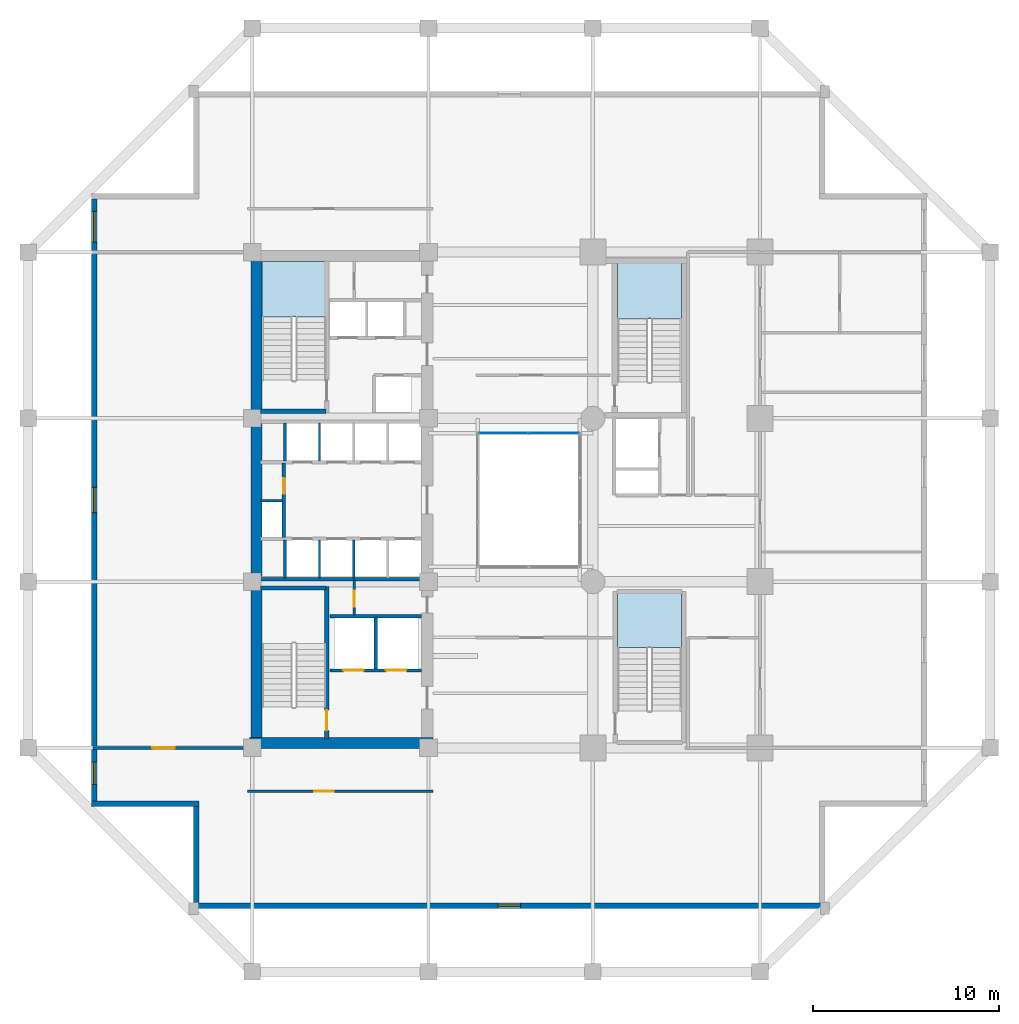
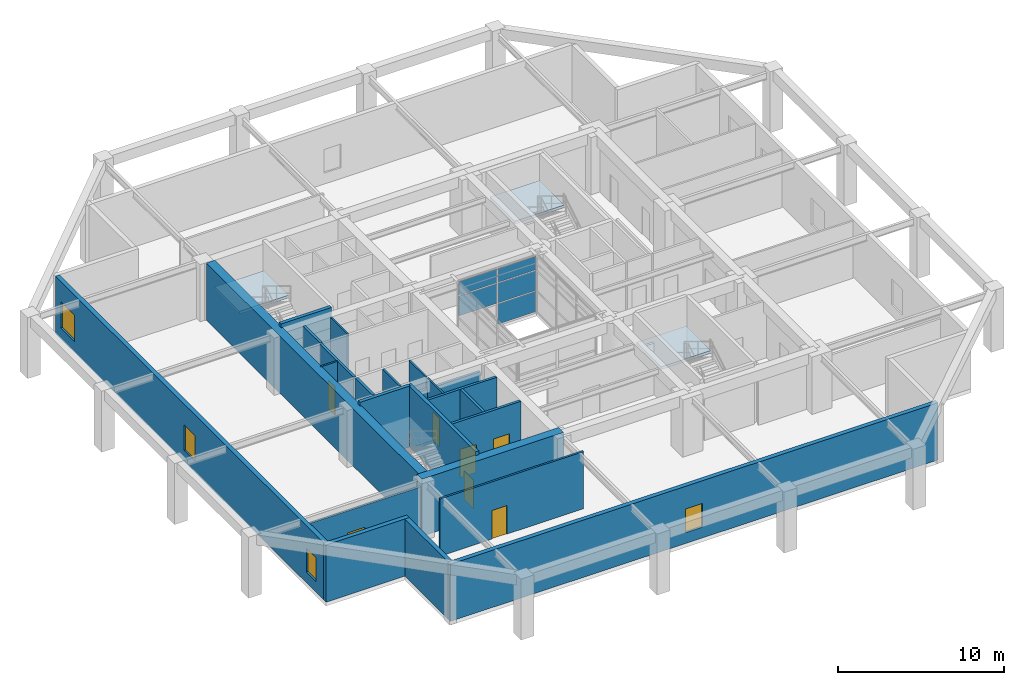
# One storey, part 6 of 10: 23 walls, 7 doors, 5 plates, 4 windows, 3 slabs, 11 openings, 4 elements without a shape of their own.
"""IFC4 building model written with IfcOpenShell, lengths in metres."""

from ifc_helpers import new_model, si_unit, direction, frame, frame_2d, origin, origin_2d, place, context, subcontext, project, spatial, polyline, rectangle, outline, extrude, material, layer, layer_set, type_object, element, fill, aggregate, save


model = new_model("IFC4")

# Units and contexts
model_context = context("Model", 3, precision=1e-05, world=origin(), true_north=direction((0.0, 1.0)))
body_context = subcontext(model_context, "Body", "Model", "MODEL_VIEW")
ifc_project = project(units=[si_unit("LENGTHUNIT", "METRE"), si_unit("AREAUNIT", "SQUARE_METRE"), si_unit("VOLUMEUNIT", "CUBIC_METRE"), si_unit("PLANEANGLEUNIT", "RADIAN"), si_unit("MASSUNIT", "GRAM", prefix="KILO")], contexts=[model_context])

# Site, building, storey
site_placement = place(None, origin())
site = spatial("IfcSite", under=ifc_project, at=site_placement, CompositionType="ELEMENT")
building_placement = place(site_placement, origin())
building = spatial("IfcBuilding", under=site, at=building_placement, Name="Kundavana Baori Tower", CompositionType="ELEMENT")
storey_placement = place(building_placement, frame((0.0, 0.0, 12.5)))
storey = spatial("IfcBuildingStorey", under=building, at=storey_placement, Name="L02", CompositionType="ELEMENT", Elevation=12.5)

# Curtain wall, plates
ifc_material_1 = material(Name="Thermally Broken Anodised Aluminium Framing", Category="aluminium")
ifc_layer_1 = layer(ifc_material_1, 0.159912109375, Name="CW-SYS-1")
ifc_layer_set_1 = layer_set([ifc_layer_1], Name="Thermally Broken Anodised Aluminium Framing")
curtain_wall_type = type_object("IfcCurtainWallType", Name="CW-SYS-1", PredefinedType="NOTDEFINED", material=ifc_layer_set_1)
curtain_wall_placement = place(storey_placement, origin())
curtain_wall = element("IfcCurtainWall", 1, at=curtain_wall_placement, inside=storey, type_object=curtain_wall_type, Name="L02 Atrium Glazed Curtain Wall N", PredefinedType="NOTDEFINED")
ifc_material_2 = material(Name="Double-Glazed Solar-Control Low-E Insulated Glass", Category="glass")
ifc_layer_2 = layer(ifc_material_2, 0.028076171875, Name="CW-PNL-GLS28")
ifc_layer_set_2 = layer_set([ifc_layer_2], Name="Double-Glazed Solar-Control Low-E Insulated Glass")
plate_type = type_object("IfcPlateType", Name="CW-PNL-GLS28", PredefinedType="CURTAIN_PANEL", material=ifc_layer_set_2)
plate_1_placement = place(storey_placement, frame((31.708740234375, 32.199951171875, 0.06494140625), z_axis=(0.0, 0.0, 1.0), x_axis=(-1.0, 0.0, 0.0)))
plate_1 = element("IfcPlate", 2, at=plate_1_placement, type_object=plate_type, Name="CW1 panel 1.1", PredefinedType="CURTAIN_PANEL", context=body_context, shape_type="SweptSolid", body=[
    extrude(rectangle(XDim=2.652587890625, YDim=0.028076171875, at=origin_2d()), origin(), (0.0, 0.0, 1.0), 1.506103515625),
])
plate_2_placement = place(storey_placement, frame((31.708740234375, 32.199951171875, 1.63623046875), z_axis=(0.0, 0.0, 1.0), x_axis=(-1.0, 0.0, 0.0)))
plate_2 = element("IfcPlate", 3, at=plate_2_placement, type_object=plate_type, Name="CW1 panel 1.2", PredefinedType="CURTAIN_PANEL", context=body_context, shape_type="SweptSolid", body=[
    extrude(rectangle(XDim=2.652587890625, YDim=0.028076171875, at=origin_2d()), origin(), (0.0, 0.0, 1.0), 1.4541015625),
])
plate_3_placement = place(storey_placement, frame((31.708740234375, 32.199951171875, 3.1552734375), z_axis=(0.0, 0.0, 1.0), x_axis=(-1.0, 0.0, 0.0)))
plate_3 = element("IfcPlate", 4, at=plate_3_placement, type_object=plate_type, Name="CW1 panel 1.3", PredefinedType="CURTAIN_PANEL", context=body_context, shape_type="SweptSolid", body=[
    extrude(rectangle(XDim=2.652587890625, YDim=0.028076171875, at=origin_2d()), origin(), (0.0, 0.0, 1.0), 0.999755859375),
])
plate_4_placement = place(storey_placement, frame((28.9912109375, 32.199951171875, 1.63623046875), z_axis=(0.0, 0.0, 1.0), x_axis=(-1.0, 0.0, 0.0)))
plate_4 = element("IfcPlate", 5, at=plate_4_placement, type_object=plate_type, Name="CW1 panel 2.2", PredefinedType="CURTAIN_PANEL", context=body_context, shape_type="SweptSolid", body=[
    extrude(rectangle(XDim=2.652587890625, YDim=0.028076171875, at=origin_2d()), origin(), (0.0, 0.0, 1.0), 1.4541015625),
])
plate_5_placement = place(storey_placement, frame((28.9912109375, 32.199951171875, 3.1552734375), z_axis=(0.0, 0.0, 1.0), x_axis=(-1.0, 0.0, 0.0)))
plate_5 = element("IfcPlate", 6, at=plate_5_placement, type_object=plate_type, Name="CW1 panel 2.3", PredefinedType="CURTAIN_PANEL", context=body_context, shape_type="SweptSolid", body=[
    extrude(rectangle(XDim=2.652587890625, YDim=0.028076171875, at=origin_2d()), origin(), (0.0, 0.0, 1.0), 0.999755859375),
])
aggregate(curtain_wall, [plate_1, plate_2, plate_3, plate_4, plate_5])

# Stair, slab
ifc_material_3 = material(Name="Concrete C40/50", Category="concrete")
stair_type = type_object("IfcStairType", Name="STR-DOG-1650", PredefinedType="HALF_TURN_STAIR", material=ifc_material_3)
stair_1_placement = place(storey_placement, origin())
stair_1 = element("IfcStair", 7, at=stair_1_placement, inside=storey, type_object=stair_type, Name="L02 Protected Exit Stair ST2", PredefinedType="HALF_TURN_STAIR")
ifc_material_4 = material(Name="Concrete C40/50", Category="concrete")
ifc_layer_3 = layer(ifc_material_4, 0.199951171875, Name="SLB-LND-200")
ifc_layer_set_3 = layer_set([ifc_layer_3], Name="Concrete C40/50")
slab_type = type_object("IfcSlabType", Name="SLB-LND-200", PredefinedType="LANDING", material=ifc_layer_set_3)
slab_1_placement = place(storey_placement, frame((0.0, 0.0, 2.050048828125)))
slab_1 = element("IfcSlab", 8, at=slab_1_placement, type_object=slab_type, Name="ST2 landing 1", PredefinedType="LANDING", context=body_context, shape_type="SweptSolid", body=[
    extrude(outline(polyline([(19.43994140625, 38.4599609375), (19.43994140625, 41.449951171875), (15.97998046875, 41.449951171875), (15.97998046875, 38.4599609375), (19.43994140625, 38.4599609375)])), origin(), (0.0, 0.0, 1.0), 0.199951171875),
])
aggregate(stair_1, [slab_1])

stair_2_placement = place(storey_placement, origin())
stair_2 = element("IfcStair", 9, at=stair_2_placement, inside=storey, type_object=stair_type, Name="L02 Protected Exit Stair ST3", PredefinedType="HALF_TURN_STAIR")
slab_2_placement = place(storey_placement, frame((0.0, 0.0, 2.050048828125)))
slab_2 = element("IfcSlab", 10, at=slab_2_placement, type_object=slab_type, Name="ST3 landing 1", PredefinedType="LANDING", context=body_context, shape_type="SweptSolid", body=[
    extrude(outline(polyline([(38.580078125, 38.360107421875), (38.580078125, 41.35009765625), (35.1201171875, 41.35009765625), (35.1201171875, 38.360107421875), (38.580078125, 38.360107421875)])), origin(), (0.0, 0.0, 1.0), 0.199951171875),
])
aggregate(stair_2, [slab_2])

stair_3_placement = place(storey_placement, origin())
stair_3 = element("IfcStair", 11, at=stair_3_placement, inside=storey, type_object=stair_type, Name="L02 Podium Atrium Stair ST4", PredefinedType="HALF_TURN_STAIR")
slab_3_placement = place(storey_placement, frame((0.0, 0.0, 2.050048828125)))
slab_3 = element("IfcSlab", 12, at=slab_3_placement, type_object=slab_type, Name="ST4 landing 1", PredefinedType="LANDING", context=body_context, shape_type="SweptSolid", body=[
    extrude(outline(polyline([(38.580078125, 20.659912109375), (38.580078125, 23.64990234375), (35.1201171875, 23.64990234375), (35.1201171875, 20.659912109375), (38.580078125, 20.659912109375)])), origin(), (0.0, 0.0, 1.0), 0.199951171875),
])
aggregate(stair_3, [slab_3])

# Wall, opening, door
ifc_material_5 = material(Name="Concrete C50/60", Category="concrete")
ifc_layer_4 = layer(ifc_material_5, 0.39990234375, Name="WL-CORE-400")
ifc_layer_set_4 = layer_set([ifc_layer_4], Name="Concrete C50/60")
wall_type_1 = type_object("IfcWallType", Name="WL-CORE-400", PredefinedType="SHEAR", material=ifc_layer_set_4)
wall_1_placement = place(storey_placement, frame((19.4599609375, 15.739990234375, 0.0), z_axis=(0.0, 0.0, 1.0), x_axis=(0.0, 1.0, 0.0)))
wall_1 = element("IfcWall", 13, at=wall_1_placement, inside=storey, type_object=wall_type_1, Name="WL-L02-ST1-E", PredefinedType="SHEAR", context=body_context, shape_type="SweptSolid", body=[
    extrude(rectangle(XDim=8.199951171875, YDim=0.239990234375, at=frame_2d((4.10009765625, 0.0))), origin(), (0.0, 0.0, 1.0), 4.5),
])
opening_1_placement = place(wall_1_placement, frame((0.449951171875, 0.0, 0.0)))
opening_1 = element("IfcOpeningElement", 14, at=opening_1_placement, cuts=wall_1, Name="Opening FD-110", PredefinedType="OPENING", context=body_context, shape_type="SweptSolid", body=[
    extrude(rectangle(XDim=1.10009765625, YDim=2.10009765625, at=frame_2d((0.550048828125, 1.050048828125))), frame((0.0, 0.1298828125, 0.0), z_axis=(0.0, -1.0, 0.0), x_axis=(1.0, 0.0, 0.0)), (0.0, 0.0, 1.0), 0.260009765625),
])
ifc_material_6 = material(Name="Galvanised Steel Fire-Rated Door Leaf", Category="steel")
door_type_1 = type_object("IfcDoorType", Name="DR-FD120-1100", OperationType="NOTDEFINED", PredefinedType="DOOR", material=ifc_material_6)
door_1_placement = place(opening_1_placement, origin())
door_1 = element("IfcDoor", 15, at=door_1_placement, inside=storey, type_object=door_type_1, Name="DR-L02-ST1", OperationType="SINGLE_SWING_LEFT", OverallHeight=2.10009765625, OverallWidth=1.10009765625, PredefinedType="DOOR", context=body_context, shape_type="SweptSolid", body=[
    extrude(rectangle(XDim=1.10009765625, YDim=2.10009765625, at=frame_2d((0.550048828125, 1.050048828125))), frame((0.0, 0.02490234375, 0.0), z_axis=(0.0, -1.0, 0.0), x_axis=(1.0, 0.0, 0.0)), (0.0, 0.0, 1.0), 0.050048828125),
])
fill(opening_1, door_1)

# Walls
for number, where, z_axis, x_axis, name in (
    (16, (15.89990234375, 23.860107421875, 0.0), (0.0, 0.0, 1.0), (1.0, 0.0, 0.0), "WL-L02-ST1-N"),
    (17, (15.89990234375, 33.389892578125, 0.0), (0.0, 0.0, 1.0), (1.0, 0.0, 0.0), "WL-L02-ST2-S"),
):
    element("IfcWall", number, at=place(storey_placement, frame(where, z_axis=z_axis, x_axis=x_axis)), inside=storey, type_object=wall_type_1, Name=name, PredefinedType="SHEAR", context=body_context, shape_type="SweptSolid", body=[
        extrude(rectangle(XDim=3.52001953125, YDim=0.239990234375, at=frame_2d((1.760009765625, 0.0))), origin(), (0.0, 0.0, 1.0), 4.5),
    ])
ifc_material_7 = material(Name="Concrete C60/75", Category="concrete")
ifc_layer_5 = layer(ifc_material_7, 0.60009765625, Name="WL-CORE-600")
ifc_layer_set_5 = layer_set([ifc_layer_5], Name="Concrete C60/75")
wall_type_2 = type_object("IfcWallType", Name="WL-CORE-600", PredefinedType="SHEAR", material=ifc_layer_set_5)
wall_2_placement = place(storey_placement, frame((15.300048828125, 15.510009765625, 0.0), z_axis=(0.0, 0.0, 1.0), x_axis=(1.0, 0.0, 0.0)))
element("IfcWall", 18, at=wall_2_placement, inside=storey, type_object=wall_type_2, Name="L02 Offset Core South Shear Wall", PredefinedType="SHEAR", context=body_context, shape_type="SweptSolid", body=[
    extrude(rectangle(XDim=9.8798828125, YDim=0.60009765625, at=frame_2d((4.93994140625, 0.0))), origin(), (0.0, 0.0, 1.0), 4.219970703125),
])
wall_3_placement = place(storey_placement, frame((15.68994140625, 15.81005859375, 0.0), z_axis=(0.0, 0.0, 1.0), x_axis=(0.0, 1.0, 0.0)))
element("IfcWall", 19, at=wall_3_placement, inside=storey, type_object=wall_type_2, Name="L02 Offset Core West Shear Wall", PredefinedType="SHEAR", context=body_context, shape_type="SweptSolid", body=[
    extrude(rectangle(XDim=25.6298828125, YDim=0.60009765625, at=frame_2d((12.81494140625, 0.0))), origin(), (0.0, 0.0, 1.0), 4.219970703125),
])

# Wall, opening, window
ifc_material_8 = material(Name="Red-Buff Dholpur Sandstone Cladding on Concrete C40/50", Category="masonry")
ifc_layer_6 = layer(ifc_material_8, 0.300048828125, Name="WL-EXT-SAND-300")
ifc_layer_set_6 = layer_set([ifc_layer_6], Name="Red-Buff Dholpur Sandstone Cladding on Concrete C40/50")
wall_type_3 = type_object("IfcWallType", Name="WL-EXT-SAND-300", PredefinedType="STANDARD", material=ifc_layer_set_6)
wall_4_placement = place(storey_placement, frame((12.300048828125, 6.75, 0.0), z_axis=(0.0, 0.0, 1.0), x_axis=(1.0, 0.0, 0.0)))
wall_4 = element("IfcWall", 20, at=wall_4_placement, inside=storey, type_object=wall_type_3, Name="L02 Exterior Insulated Facade Wall 01", PredefinedType="STANDARD", context=body_context, shape_type="SweptSolid", body=[
    extrude(rectangle(XDim=34.0, YDim=0.300048828125, at=frame_2d((17.0, 0.0))), origin(), (0.0, 0.0, 1.0), 4.219970703125),
])
opening_2_placement = place(wall_4_placement, frame((16.39990234375, 0.0, 0.800048828125)))
opening_2 = element("IfcOpeningElement", 21, at=opening_2_placement, cuts=wall_4, Name="Opening W-03", PredefinedType="OPENING", context=body_context, shape_type="SweptSolid", body=[
    extrude(rectangle(XDim=1.199951171875, YDim=1.75, at=frame_2d((0.60009765625, 0.875))), frame((0.0, 0.16015625, 0.0), z_axis=(0.0, -1.0, 0.0), x_axis=(1.0, 0.0, 0.0)), (0.0, 0.0, 1.0), 0.320068359375),
])
ifc_material_9 = material(Name="Double-Glazed Solar-Control Low-E Insulated Glass", Category="glass")
window_type_1 = type_object("IfcWindowType", Name="WIN-LOG-1200x1750", PartitioningType="SINGLE_PANEL", PredefinedType="WINDOW", material=ifc_material_9)
window_1_placement = place(opening_2_placement, origin())
window_1 = element("IfcWindow", 22, at=window_1_placement, inside=storey, type_object=window_type_1, Name="L02 Recessed Loggia Window S-1", OverallHeight=1.75, OverallWidth=1.199951171875, PartitioningType="SINGLE_PANEL", PredefinedType="WINDOW", context=body_context, shape_type="SweptSolid", body=[
    extrude(rectangle(XDim=1.199951171875, YDim=1.75, at=frame_2d((0.60009765625, 0.875))), frame((0.0, 0.030029296875, 0.0), z_axis=(0.0, -1.0, 0.0), x_axis=(1.0, 0.0, 0.0)), (0.0, 0.0, 1.0), 0.06005859375),
])
fill(opening_2, window_1)

# Wall, openings, windows
wall_5_placement = place(storey_placement, frame((6.949951171875, 44.800048828125, 0.0), z_axis=(0.0, 0.0, 1.0), x_axis=(0.0, -1.0, 0.0)))
wall_5 = element("IfcWall", 23, at=wall_5_placement, inside=storey, type_object=wall_type_3, Name="L02 Exterior Insulated Facade Wall 10", PredefinedType="STANDARD", context=body_context, shape_type="SweptSolid", body=[
    extrude(rectangle(XDim=32.400146484375, YDim=0.300048828125, at=frame_2d((16.2001953125, 0.0))), origin(), (0.0, 0.0, 1.0), 4.219970703125),
])
opening_3_placement = place(wall_5_placement, frame((30.320068359375, 0.0, 0.800048828125)))
opening_3 = element("IfcOpeningElement", 24, at=opening_3_placement, cuts=wall_5, Name="Opening W-03", PredefinedType="OPENING", context=body_context, shape_type="SweptSolid", body=[
    extrude(rectangle(XDim=1.199951171875, YDim=1.75, at=frame_2d((0.60009765625, 0.875))), frame((0.0, 0.16015625, 0.0), z_axis=(0.0, -1.0, 0.0), x_axis=(1.0, 0.0, 0.0)), (0.0, 0.0, 1.0), 0.320068359375),
])
opening_4_placement = place(wall_5_placement, frame((15.52490234375, 0.0, 0.800048828125)))
opening_4 = element("IfcOpeningElement", 25, at=opening_4_placement, cuts=wall_5, Name="Opening W-07", PredefinedType="OPENING", context=body_context, shape_type="SweptSolid", body=[
    extrude(rectangle(XDim=1.35009765625, YDim=1.89990234375, at=frame_2d((0.675048828125, 0.949951171875))), frame((0.0, 0.16015625, 0.0), z_axis=(0.0, -1.0, 0.0), x_axis=(1.0, 0.0, 0.0)), (0.0, 0.0, 1.0), 0.320068359375),
])
opening_5_placement = place(wall_5_placement, frame((0.655029296875, 0.0, 0.800048828125)))
opening_5 = element("IfcOpeningElement", 26, at=opening_5_placement, cuts=wall_5, Name="Opening W-08", PredefinedType="OPENING", context=body_context, shape_type="SweptSolid", body=[
    extrude(rectangle(XDim=1.64990234375, YDim=1.949951171875, at=frame_2d((0.824951171875, 0.97509765625))), frame((0.0, 0.16015625, 0.0), z_axis=(0.0, -1.0, 0.0), x_axis=(1.0, 0.0, 0.0)), (0.0, 0.0, 1.0), 0.320068359375),
])
window_2_placement = place(opening_3_placement, origin())
window_2 = element("IfcWindow", 27, at=window_2_placement, inside=storey, type_object=window_type_1, Name="L02 Recessed Loggia Window W-1", OverallHeight=1.75, OverallWidth=1.199951171875, PartitioningType="SINGLE_PANEL", PredefinedType="WINDOW", context=body_context, shape_type="SweptSolid", body=[
    extrude(rectangle(XDim=1.199951171875, YDim=1.75, at=frame_2d((0.60009765625, 0.875))), frame((0.0, 0.030029296875, 0.0), z_axis=(0.0, -1.0, 0.0), x_axis=(1.0, 0.0, 0.0)), (0.0, 0.0, 1.0), 0.06005859375),
])
fill(opening_3, window_2)
ifc_material_10 = material(Name="Double-Glazed Solar-Control Low-E Insulated Glass", Category="glass")
window_type_2 = type_object("IfcWindowType", Name="WIN-LOG-1350x1900", PartitioningType="SINGLE_PANEL", PredefinedType="WINDOW", material=ifc_material_10)
window_3_placement = place(opening_4_placement, origin())
window_3 = element("IfcWindow", 28, at=window_3_placement, inside=storey, type_object=window_type_2, Name="L02 Recessed Loggia Window W-2", OverallHeight=1.89990234375, OverallWidth=1.35009765625, PartitioningType="SINGLE_PANEL", PredefinedType="WINDOW", context=body_context, shape_type="SweptSolid", body=[
    extrude(rectangle(XDim=1.35009765625, YDim=1.89990234375, at=frame_2d((0.675048828125, 0.949951171875))), frame((0.0, 0.030029296875, 0.0), z_axis=(0.0, -1.0, 0.0), x_axis=(1.0, 0.0, 0.0)), (0.0, 0.0, 1.0), 0.06005859375),
])
fill(opening_4, window_3)
ifc_material_11 = material(Name="Double-Glazed Solar-Control Low-E Insulated Glass", Category="glass")
window_type_3 = type_object("IfcWindowType", Name="WIN-LOG-1650x1950", PartitioningType="SINGLE_PANEL", PredefinedType="WINDOW", material=ifc_material_11)
window_4_placement = place(opening_5_placement, origin())
window_4 = element("IfcWindow", 29, at=window_4_placement, inside=storey, type_object=window_type_3, Name="L02 Recessed Loggia Window W-3", OverallHeight=1.949951171875, OverallWidth=1.64990234375, PartitioningType="SINGLE_PANEL", PredefinedType="WINDOW", context=body_context, shape_type="SweptSolid", body=[
    extrude(rectangle(XDim=1.64990234375, YDim=1.949951171875, at=frame_2d((0.824951171875, 0.97509765625))), frame((0.0, 0.030029296875, 0.0), z_axis=(0.0, -1.0, 0.0), x_axis=(1.0, 0.0, 0.0)), (0.0, 0.0, 1.0), 0.06005859375),
])
fill(opening_5, window_4)

# Walls
wall_6_placement = place(storey_placement, frame((6.800048828125, 12.25, 0.0), z_axis=(0.0, 0.0, 1.0), x_axis=(1.0, 0.0, 0.0)))
element("IfcWall", 30, at=wall_6_placement, inside=storey, type_object=wall_type_3, Name="L02 Exterior Insulated Facade Wall 11", PredefinedType="STANDARD", context=body_context, shape_type="SweptSolid", body=[
    extrude(rectangle(XDim=5.800048828125, YDim=0.300048828125, at=frame_2d((2.89990234375, 0.0))), origin(), (0.0, 0.0, 1.0), 4.219970703125),
])
wall_7_placement = place(storey_placement, frame((12.449951171875, 12.10009765625, 0.0), z_axis=(0.0, 0.0, 1.0), x_axis=(0.0, -1.0, 0.0)))
element("IfcWall", 31, at=wall_7_placement, inside=storey, type_object=wall_type_3, Name="L02 Exterior Insulated Facade Wall 12", PredefinedType="STANDARD", context=body_context, shape_type="SweptSolid", body=[
    extrude(rectangle(XDim=5.2001953125, YDim=0.300048828125, at=frame_2d((2.60009765625, 0.0))), origin(), (0.0, 0.0, 1.0), 4.219970703125),
])

# Wall, opening, door
ifc_material_12 = material(Name="Acoustic Gypsum Plasterboard on Galvanised Steel Studs", Category="steel")
ifc_layer_7 = layer(ifc_material_12, 0.1201171875, Name="WL-PART-120")
ifc_layer_set_7 = layer_set([ifc_layer_7], Name="Acoustic Gypsum Plasterboard on Galvanised Steel Studs")
wall_type_4 = type_object("IfcWallType", Name="WL-PART-120", PredefinedType="PARTITIONING", material=ifc_layer_set_7)
wall_8_placement = place(storey_placement, frame((20.949951171875, 22.39990234375, 0.0), z_axis=(0.0, 0.0, 1.0), x_axis=(0.0, 1.0, 0.0)))
wall_8 = element("IfcWall", 32, at=wall_8_placement, inside=storey, type_object=wall_type_4, Name="WL-L02-CSMK-D2", PredefinedType="PARTITIONING", context=body_context, shape_type="SweptSolid", body=[
    extrude(rectangle(XDim=1.880126953125, YDim=0.1201171875, at=frame_2d((0.93994140625, 0.0))), origin(), (0.0, 0.0, 1.0), 4.219970703125),
])
opening_6_placement = place(wall_8_placement, frame((0.449951171875, 0.0, 0.0)))
opening_6 = element("IfcOpeningElement", 33, at=opening_6_placement, cuts=wall_8, Name="Opening FD-085", PredefinedType="OPENING", context=body_context, shape_type="SweptSolid", body=[
    extrude(rectangle(XDim=0.85009765625, YDim=2.06005859375, at=frame_2d((0.425048828125, 1.030029296875))), frame((0.0, 0.070068359375, 0.0), z_axis=(0.0, -1.0, 0.0), x_axis=(1.0, 0.0, 0.0)), (0.0, 0.0, 1.0), 0.14013671875),
])
ifc_material_13 = material(Name="Galvanised Steel Fire-Rated Door Leaf", Category="steel")
door_type_2 = type_object("IfcDoorType", Name="DR-FD60-850", OperationType="NOTDEFINED", PredefinedType="DOOR", material=ifc_material_13)
door_2_placement = place(opening_6_placement, origin())
door_2 = element("IfcDoor", 34, at=door_2_placement, inside=storey, type_object=door_type_2, Name="DR-L02-CSMK1", OperationType="SINGLE_SWING_RIGHT", OverallHeight=2.06005859375, OverallWidth=0.85009765625, PredefinedType="DOOR", context=body_context, shape_type="SweptSolid", body=[
    extrude(rectangle(XDim=0.85009765625, YDim=2.06005859375, at=frame_2d((0.425048828125, 1.030029296875))), frame((0.0, 0.02490234375, 0.0), z_axis=(0.0, -1.0, 0.0), x_axis=(1.0, 0.0, 0.0)), (0.0, 0.0, 1.0), 0.050048828125),
])
fill(opening_6, door_2)

# Walls
for number, where, z_axis, x_axis, name in (
    (35, (19.080078125, 24.39990234375, 0.0), (0.0, 0.0, 1.0), (0.0, 1.0, 0.0), "WL-L02-LPLOW-D1"),
    (36, (20.919921875, 24.39990234375, 0.0), (0.0, 0.0, 1.0), (0.0, 1.0, 0.0), "WL-L02-LPLOW-D2"),
):
    element("IfcWall", number, at=place(storey_placement, frame(where, z_axis=z_axis, x_axis=x_axis)), inside=storey, type_object=wall_type_4, Name=name, PredefinedType="PARTITIONING", context=body_context, shape_type="SweptSolid", body=[
        extrude(rectangle(XDim=2.050048828125, YDim=0.1201171875, at=frame_2d((1.02490234375, 0.0))), origin(), (0.0, 0.0, 1.0), 4.219970703125),
    ])
wall_9_placement = place(storey_placement, frame((15.89990234375, 28.56005859375, 0.0), z_axis=(0.0, 0.0, 1.0), x_axis=(1.0, 0.0, 0.0)))
element("IfcWall", 37, at=wall_9_placement, inside=storey, type_object=wall_type_4, Name="WL-L02-RSRW-N", PredefinedType="PARTITIONING", context=body_context, shape_type="SweptSolid", body=[
    extrude(rectangle(XDim=1.2001953125, YDim=0.1201171875, at=frame_2d((0.60009765625, 0.0))), origin(), (0.0, 0.0, 1.0), 4.219970703125),
])
wall_10_placement = place(storey_placement, frame((19.080078125, 30.699951171875, 0.0), z_axis=(0.0, 0.0, 1.0), x_axis=(0.0, 1.0, 0.0)))
element("IfcWall", 38, at=wall_10_placement, inside=storey, type_object=wall_type_4, Name="WL-L02-LPMID-D1", PredefinedType="PARTITIONING", context=body_context, shape_type="SweptSolid", body=[
    extrude(rectangle(XDim=2.050048828125, YDim=0.1201171875, at=frame_2d((1.02490234375, 0.0))), origin(), (0.0, 0.0, 1.0), 4.219970703125),
])

# Wall, opening, door
ifc_material_14 = material(Name="Acoustic Gypsum Plasterboard on Galvanised Steel Studs", Category="steel")
ifc_layer_8 = layer(ifc_material_14, 0.135009765625, Name="WL-PART-135")
ifc_layer_set_8 = layer_set([ifc_layer_8], Name="Acoustic Gypsum Plasterboard on Galvanised Steel Studs")
wall_type_5 = type_object("IfcWallType", Name="WL-PART-135", PredefinedType="PARTITIONING", material=ifc_layer_set_8)
wall_11_placement = place(storey_placement, frame((15.199951171875, 12.919921875, 0.0), z_axis=(0.0, 0.0, 1.0), x_axis=(1.0, 0.0, 0.0)))
wall_11 = element("IfcWall", 39, at=wall_11_placement, inside=storey, type_object=wall_type_5, Name="WL-L02-SC", PredefinedType="PARTITIONING", context=body_context, shape_type="SweptSolid", body=[
    extrude(rectangle(XDim=10.0, YDim=0.135009765625, at=frame_2d((5.0, 0.0))), origin(), (0.0, 0.0, 1.0), 4.219970703125),
])
opening_7_placement = place(wall_11_placement, frame((3.60009765625, 0.0, 0.0)))
opening_7 = element("IfcOpeningElement", 40, at=opening_7_placement, cuts=wall_11, Name="Opening ID-105", PredefinedType="OPENING", context=body_context, shape_type="SweptSolid", body=[
    extrude(rectangle(XDim=1.050048828125, YDim=2.10009765625, at=frame_2d((0.52490234375, 1.050048828125))), frame((0.0, 0.07763671875, 0.0), z_axis=(0.0, -1.0, 0.0), x_axis=(1.0, 0.0, 0.0)), (0.0, 0.0, 1.0), 0.155029296875),
])
ifc_material_15 = material(Name="Engineered Teak Solid-Core Timber Veneer", Category="wood")
door_type_3 = type_object("IfcDoorType", Name="DR-INT-1050", OperationType="NOTDEFINED", PredefinedType="DOOR", material=ifc_material_15)
door_3_placement = place(opening_7_placement, frame((1.050048828125, 0.0, 0.0), z_axis=(0.0, 0.0, 1.0), x_axis=(-1.0, 0.0, 0.0)))
door_3 = element("IfcDoor", 41, at=door_3_placement, inside=storey, type_object=door_type_3, Name="DR-L02-RSW", OperationType="SINGLE_SWING_LEFT", OverallHeight=2.10009765625, OverallWidth=1.050048828125, PredefinedType="DOOR", context=body_context, shape_type="SweptSolid", body=[
    extrude(rectangle(XDim=1.050048828125, YDim=2.10009765625, at=frame_2d((0.52490234375, 1.050048828125))), frame((0.0, 0.02490234375, 0.0), z_axis=(0.0, -1.0, 0.0), x_axis=(1.0, 0.0, 0.0)), (0.0, 0.0, 1.0), 0.050048828125),
])
fill(opening_7, door_3)

ifc_material_16 = material(Name="Fire-Rated Gypsum Drywall on Galvanised Steel Studs", Category="steel")
ifc_layer_9 = layer(ifc_material_16, 0.14990234375, Name="WL-PART-150")
ifc_layer_set_9 = layer_set([ifc_layer_9], Name="Fire-Rated Gypsum Drywall on Galvanised Steel Studs")
wall_type_6 = type_object("IfcWallType", Name="WL-PART-150", PredefinedType="PARTITIONING", material=ifc_layer_set_9)
wall_12_placement = place(storey_placement, frame((6.8798828125, 15.25, 0.0), z_axis=(0.0, 0.0, 1.0), x_axis=(1.0, 0.0, 0.0)))
wall_12 = element("IfcWall", 42, at=wall_12_placement, inside=storey, type_object=wall_type_6, Name="WL-L02-PW-S", PredefinedType="PARTITIONING", context=body_context, shape_type="SweptSolid", body=[
    extrude(rectangle(XDim=8.320068359375, YDim=0.14990234375, at=frame_2d((4.16015625, 0.0))), origin(), (0.0, 0.0, 1.0), 3.719970703125),
])
opening_8_placement = place(wall_12_placement, frame((3.199951171875, 0.0, 0.0)))
opening_8 = element("IfcOpeningElement", 43, at=opening_8_placement, cuts=wall_12, Name="Opening ID-120", PredefinedType="OPENING", context=body_context, shape_type="SweptSolid", body=[
    extrude(rectangle(XDim=1.199951171875, YDim=2.10009765625, at=frame_2d((0.60009765625, 1.050048828125))), frame((0.0, 0.0849609375, 0.0), z_axis=(0.0, -1.0, 0.0), x_axis=(1.0, 0.0, 0.0)), (0.0, 0.0, 1.0), 0.169921875),
])
ifc_material_17 = material(Name="Engineered Teak Solid-Core Timber Veneer", Category="wood")
door_type_4 = type_object("IfcDoorType", Name="DR-INT-1200", OperationType="NOTDEFINED", PredefinedType="DOOR", material=ifc_material_17)
door_4_placement = place(opening_8_placement, origin())
door_4 = element("IfcDoor", 44, at=door_4_placement, inside=storey, type_object=door_type_4, Name="DR-L02-GALW", OperationType="SINGLE_SWING_LEFT", OverallHeight=2.10009765625, OverallWidth=1.199951171875, PredefinedType="DOOR", context=body_context, shape_type="SweptSolid", body=[
    extrude(rectangle(XDim=1.199951171875, YDim=2.10009765625, at=frame_2d((0.60009765625, 1.050048828125))), frame((0.0, 0.02490234375, 0.0), z_axis=(0.0, -1.0, 0.0), x_axis=(1.0, 0.0, 0.0)), (0.0, 0.0, 1.0), 0.050048828125),
])
fill(opening_8, door_4)

# Wall, openings, doors
ifc_material_18 = material(Name="Autoclaved Aerated Concrete Blockwork Masonry", Category="masonry")
ifc_layer_10 = layer(ifc_material_18, 0.179931640625, Name="WL-SHAFT-180")
ifc_layer_set_10 = layer_set([ifc_layer_10], Name="Autoclaved Aerated Concrete Blockwork Masonry")
wall_type_7 = type_object("IfcWallType", Name="WL-SHAFT-180", PredefinedType="SOLIDWALL", material=ifc_layer_set_10)
wall_13_placement = place(storey_placement, frame((19.639892578125, 19.419921875, 0.0), z_axis=(0.0, 0.0, 1.0), x_axis=(1.0, 0.0, 0.0)))
wall_13 = element("IfcWall", 45, at=wall_13_placement, inside=storey, type_object=wall_type_7, Name="WL-L02-FFL-S", PredefinedType="SOLIDWALL", context=body_context, shape_type="SweptSolid", body=[
    extrude(rectangle(XDim=4.940185546875, YDim=0.179931640625, at=frame_2d((2.47021484375, 0.0))), origin(), (0.0, 0.0, 1.0), 4.219970703125),
])
opening_9_placement = place(wall_13_placement, frame((0.719970703125, 0.0, 0.0)))
opening_9 = element("IfcOpeningElement", 46, at=opening_9_placement, cuts=wall_13, Name="Opening LD-110", PredefinedType="OPENING", context=body_context, shape_type="SweptSolid", body=[
    extrude(rectangle(XDim=1.10009765625, YDim=2.10009765625, at=frame_2d((0.550048828125, 1.050048828125))), frame((0.0, 0.10009765625, 0.0), z_axis=(0.0, -1.0, 0.0), x_axis=(1.0, 0.0, 0.0)), (0.0, 0.0, 1.0), 0.199951171875),
])
opening_10_placement = place(wall_13_placement, frame((3.02001953125, 0.0, 0.0)))
opening_10 = element("IfcOpeningElement", 47, at=opening_10_placement, cuts=wall_13, Name="Opening LD-110", PredefinedType="OPENING", context=body_context, shape_type="SweptSolid", body=[
    extrude(rectangle(XDim=1.10009765625, YDim=2.10009765625, at=frame_2d((0.550048828125, 1.050048828125))), frame((0.0, 0.10009765625, 0.0), z_axis=(0.0, -1.0, 0.0), x_axis=(1.0, 0.0, 0.0)), (0.0, 0.0, 1.0), 0.199951171875),
])
ifc_material_19 = material(Name="Galvanised Steel Fire-Rated Door Leaf", Category="steel")
door_type_5 = type_object("IfcDoorType", Name="DR-SLIDE-LD1100", OperationType="NOTDEFINED", PredefinedType="DOOR", material=ifc_material_19)
door_5_placement = place(opening_9_placement, origin())
door_5 = element("IfcDoor", 48, at=door_5_placement, inside=storey, type_object=door_type_5, Name="DR-L02-LD-FFL-1", OperationType="DOUBLE_DOOR_SLIDING", OverallHeight=2.10009765625, OverallWidth=1.10009765625, PredefinedType="DOOR", context=body_context, shape_type="SweptSolid", body=[
    extrude(rectangle(XDim=1.10009765625, YDim=2.10009765625, at=frame_2d((0.550048828125, 1.050048828125))), frame((0.0, 0.02490234375, 0.0), z_axis=(0.0, -1.0, 0.0), x_axis=(1.0, 0.0, 0.0)), (0.0, 0.0, 1.0), 0.050048828125),
])
fill(opening_9, door_5)
door_6_placement = place(opening_10_placement, origin())
door_6 = element("IfcDoor", 49, at=door_6_placement, inside=storey, type_object=door_type_5, Name="DR-L02-LD-FFL-2", OperationType="DOUBLE_DOOR_SLIDING", OverallHeight=2.10009765625, OverallWidth=1.10009765625, PredefinedType="DOOR", context=body_context, shape_type="SweptSolid", body=[
    extrude(rectangle(XDim=1.10009765625, YDim=2.10009765625, at=frame_2d((0.550048828125, 1.050048828125))), frame((0.0, 0.02490234375, 0.0), z_axis=(0.0, -1.0, 0.0), x_axis=(1.0, 0.0, 0.0)), (0.0, 0.0, 1.0), 0.050048828125),
])
fill(opening_10, door_6)

# Walls
wall_14_placement = place(storey_placement, frame((22.10009765625, 19.510009765625, 0.0), z_axis=(0.0, 0.0, 1.0), x_axis=(0.0, 1.0, 0.0)))
element("IfcWall", 50, at=wall_14_placement, inside=storey, type_object=wall_type_7, Name="WL-L02-FFL-MID", PredefinedType="SOLIDWALL", context=body_context, shape_type="SweptSolid", body=[
    extrude(rectangle(XDim=2.739990234375, YDim=0.179931640625, at=frame_2d((1.3701171875, 0.0))), origin(), (0.0, 0.0, 1.0), 4.219970703125),
])
wall_15_placement = place(storey_placement, frame((19.639892578125, 22.340087890625, 0.0), z_axis=(0.0, 0.0, 1.0), x_axis=(1.0, 0.0, 0.0)))
element("IfcWall", 51, at=wall_15_placement, inside=storey, type_object=wall_type_7, Name="WL-L02-FFL-N", PredefinedType="SOLIDWALL", context=body_context, shape_type="SweptSolid", body=[
    extrude(rectangle(XDim=4.940185546875, YDim=0.179931640625, at=frame_2d((2.47021484375, 0.0))), origin(), (0.0, 0.0, 1.0), 4.219970703125),
])
wall_16_placement = place(storey_placement, frame((15.89990234375, 24.330078125, 0.0), z_axis=(0.0, 0.0, 1.0), x_axis=(1.0, 0.0, 0.0)))
element("IfcWall", 52, at=wall_16_placement, inside=storey, type_object=wall_type_7, Name="WL-L02-LPLOW-S", PredefinedType="SOLIDWALL", context=body_context, shape_type="SweptSolid", body=[
    extrude(rectangle(XDim=8.68017578125, YDim=0.179931640625, at=frame_2d((4.340087890625, 0.0))), origin(), (0.0, 0.0, 1.0), 3.419921875),
])
wall_17_placement = place(storey_placement, frame((17.219970703125, 24.39990234375, 0.0), z_axis=(0.0, 0.0, 1.0), x_axis=(0.0, 1.0, 0.0)))
element("IfcWall", 53, at=wall_17_placement, inside=storey, type_object=wall_type_7, Name="WL-L02-LPLOW-W", PredefinedType="SOLIDWALL", context=body_context, shape_type="SweptSolid", body=[
    extrude(rectangle(XDim=2.050048828125, YDim=0.179931640625, at=frame_2d((1.02490234375, 0.0))), origin(), (0.0, 0.0, 1.0), 4.219970703125),
])

# Wall, opening, door
wall_18_placement = place(storey_placement, frame((17.159912109375, 26.580078125, 0.0), z_axis=(0.0, 0.0, 1.0), x_axis=(0.0, 1.0, 0.0)))
wall_18 = element("IfcWall", 54, at=wall_18_placement, inside=storey, type_object=wall_type_7, Name="WL-L02-RSRW-E", PredefinedType="SOLIDWALL", context=body_context, shape_type="SweptSolid", body=[
    extrude(rectangle(XDim=4.02001953125, YDim=0.179931640625, at=frame_2d((2.010009765625, 0.0))), origin(), (0.0, 0.0, 1.0), 4.219970703125),
])
opening_11_placement = place(wall_18_placement, frame((2.35009765625, 0.0, 0.0)))
opening_11 = element("IfcOpeningElement", 55, at=opening_11_placement, cuts=wall_18, Name="Opening FD-085", PredefinedType="OPENING", context=body_context, shape_type="SweptSolid", body=[
    extrude(rectangle(XDim=0.85009765625, YDim=2.06005859375, at=frame_2d((0.425048828125, 1.030029296875))), frame((0.0, 0.10009765625, 0.0), z_axis=(0.0, -1.0, 0.0), x_axis=(1.0, 0.0, 0.0)), (0.0, 0.0, 1.0), 0.199951171875),
])
door_7_placement = place(opening_11_placement, origin())
door_7 = element("IfcDoor", 56, at=door_7_placement, inside=storey, type_object=door_type_2, Name="DR-L02-CLN", OperationType="SINGLE_SWING_RIGHT", OverallHeight=2.06005859375, OverallWidth=0.85009765625, PredefinedType="DOOR", context=body_context, shape_type="SweptSolid", body=[
    extrude(rectangle(XDim=0.85009765625, YDim=2.06005859375, at=frame_2d((0.425048828125, 1.030029296875))), frame((0.0, 0.02490234375, 0.0), z_axis=(0.0, -1.0, 0.0), x_axis=(1.0, 0.0, 0.0)), (0.0, 0.0, 1.0), 0.050048828125),
])
fill(opening_11, door_7)

# Wall
wall_19_placement = place(storey_placement, frame((17.219970703125, 30.699951171875, 0.0), z_axis=(0.0, 0.0, 1.0), x_axis=(0.0, 1.0, 0.0)))
element("IfcWall", 57, at=wall_19_placement, inside=storey, type_object=wall_type_7, Name="WL-L02-LPMID-W", PredefinedType="SOLIDWALL", context=body_context, shape_type="SweptSolid", body=[
    extrude(rectangle(XDim=2.050048828125, YDim=0.179931640625, at=frame_2d((1.02490234375, 0.0))), origin(), (0.0, 0.0, 1.0), 4.219970703125),
])

save(model, "model.ifc")
